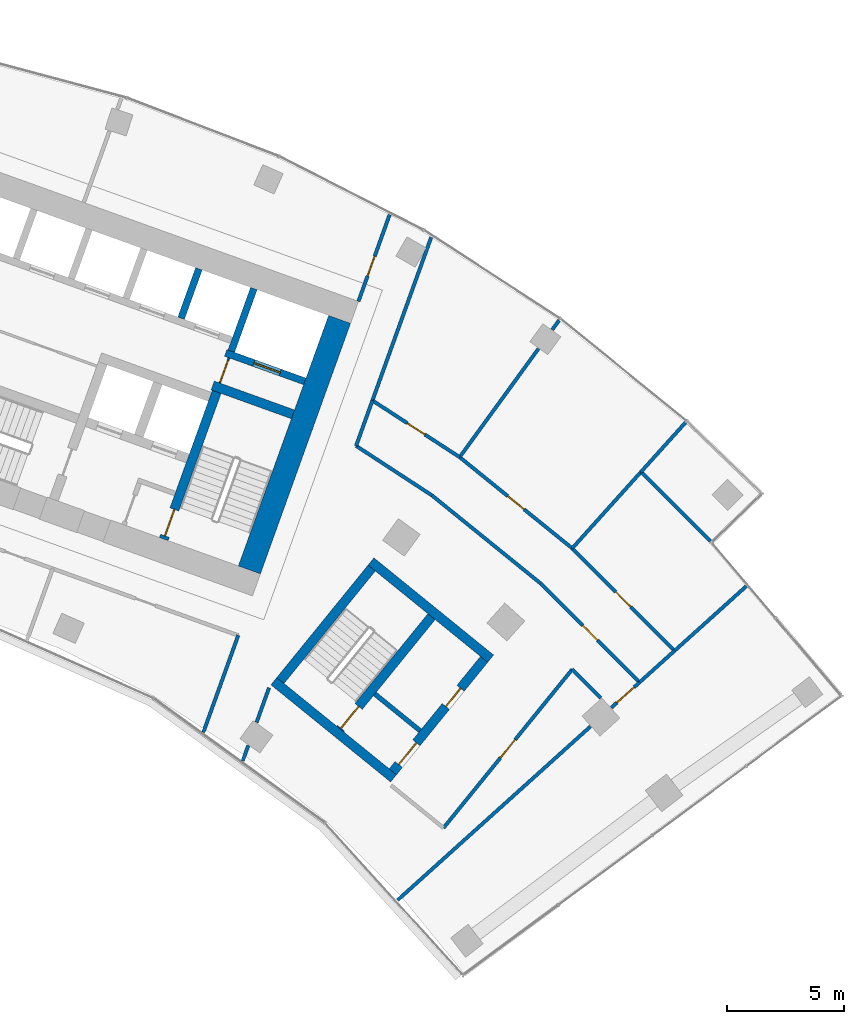
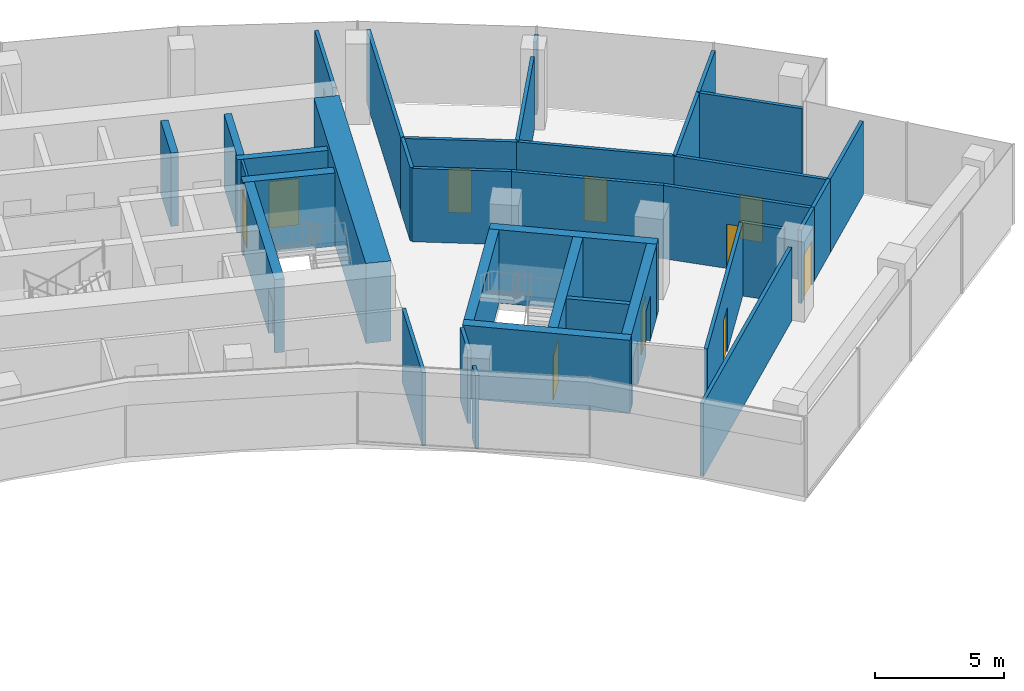
# One storey, part 15 of 18: 36 walls, 13 doors, 13 openings.
"""IFC4 building model written with IfcOpenShell, lengths in metres."""

from ifc_helpers import new_model, si_unit, direction, frame, frame_2d, origin, place, context, subcontext, project, spatial, rectangle, extrude, material, layer, layer_set, type_object, element, fill, save


model = new_model("IFC4")

# Units and contexts
model_context = context("Model", 3, precision=1e-05, world=origin(), true_north=direction((0.0, 1.0)))
body_context = subcontext(model_context, "Body", "Model", "MODEL_VIEW")
ifc_project = project(units=[si_unit("LENGTHUNIT", "METRE"), si_unit("AREAUNIT", "SQUARE_METRE"), si_unit("VOLUMEUNIT", "CUBIC_METRE"), si_unit("PLANEANGLEUNIT", "RADIAN"), si_unit("MASSUNIT", "GRAM", prefix="KILO")], contexts=[model_context])

# Site, building, storey
site_placement = place(None, origin())
site = spatial("IfcSite", under=ifc_project, at=site_placement, CompositionType="ELEMENT")
building_placement = place(site_placement, origin())
building = spatial("IfcBuilding", under=site, at=building_placement, Name="Stone Belt Terrace Tower", CompositionType="ELEMENT")
storey_placement = place(building_placement, frame((0.0, 0.0, 239.0)))
storey = spatial("IfcBuildingStorey", under=building, at=storey_placement, Name="L58", CompositionType="ELEMENT", Elevation=239.0)

# Wall, opening, door
ifc_material_1 = material(Name="Plasterboard partition")
ifc_layer_1 = layer(ifc_material_1, 0.10009765625)
ifc_layer_set_1 = layer_set([ifc_layer_1], Name="Core partition 100")
wall_type_1 = type_object("IfcWallType", Name="Core partition 100", PredefinedType="PARTITIONING", material=ifc_layer_set_1)
wall_1_placement = place(storey_placement, frame((24.555908203125, 51.10400390625, 0.0), z_axis=(0.0, 0.0, 1.0), x_axis=(0.338621735342, 0.94092258999, 0.0)))
wall_1 = element("IfcWall", 1, at=wall_1_placement, inside=storey, type_object=wall_type_1, Name="Core B wall", PredefinedType="PARTITIONING", context=body_context, shape_type="SweptSolid", body=[
    extrude(rectangle(XDim=1.14990234375, YDim=0.10009765625, at=frame_2d((0.574951171875, 0.0))), origin(), (0.0, 0.0, 1.0), 3.47998046875),
])
opening_1_placement = place(wall_1_placement, frame((0.050048828125, 0.0, 0.0)))
opening_1 = element("IfcOpeningElement", 2, at=opening_1_placement, cuts=wall_1, Name="Opening L58-C14", PredefinedType="OPENING", context=body_context, shape_type="SweptSolid", body=[
    extrude(rectangle(XDim=1.0, YDim=2.10009765625, at=frame_2d((0.5, 1.050048828125))), frame((0.0, 0.06005859375, 0.0), z_axis=(0.0, -1.0, 0.0), x_axis=(1.0, 0.0, 0.0)), (0.0, 0.0, 1.0), 0.1201171875),
])
ifc_material_2 = material(Name="Timber door leaf", Category="wood")
door_type_1 = type_object("IfcDoorType", Name="Core room door 1000", OperationType="SINGLE_SWING_LEFT", PredefinedType="DOOR", material=ifc_material_2)
door_1_placement = place(opening_1_placement, origin())
door_1 = element("IfcDoor", 3, at=door_1_placement, inside=storey, type_object=door_type_1, Name="Service lift lobby door core B", OperationType="SINGLE_SWING_LEFT", OverallHeight=2.10009765625, OverallWidth=1.0, PredefinedType="DOOR", context=body_context, shape_type="SweptSolid", body=[
    extrude(rectangle(XDim=1.0, YDim=2.10009765625, at=frame_2d((0.5, 1.050048828125))), frame((0.0, 0.02490234375, 0.0), z_axis=(0.0, -1.0, 0.0), x_axis=(1.0, 0.0, 0.0)), (0.0, 0.0, 1.0), 0.050048828125),
])
fill(opening_1, door_1)

# Wall
ifc_material_3 = material(Name="Concrete B60", Category="concrete")
ifc_layer_2 = layer(ifc_material_3, 1.0)
ifc_layer_set_2 = layer_set([ifc_layer_2], Name="Core wall 1000 B60")
wall_type_2 = type_object("IfcWallType", Name="Core wall 1000 B60", PredefinedType="SHEAR", material=ifc_layer_set_2)
wall_2_placement = place(storey_placement, frame((25.821044921875, 43.102783203125, 0.0), z_axis=(0.0, 0.0, 1.0), x_axis=(0.338625431531, 0.940921259788, 0.0)))
element("IfcWall", 4, at=wall_2_placement, inside=storey, type_object=wall_type_2, Name="Core B wall end_b L58", PredefinedType="SHEAR", context=body_context, shape_type="SweptSolid", body=[
    extrude(rectangle(XDim=11.400146484375, YDim=1.0, at=frame_2d((5.7001953125, 0.0))), origin(), (0.0, 0.0, 1.0), 3.800048828125),
])

# Wall, opening, door
ifc_material_4 = material(Name="Concrete B80", Category="concrete")
ifc_layer_3 = layer(ifc_material_4, 0.300048828125)
ifc_layer_set_3 = layer_set([ifc_layer_3], Name="Lift shaft wall 300")
wall_type_3 = type_object("IfcWallType", Name="Lift shaft wall 300", PredefinedType="SHEAR", material=ifc_layer_set_3)
wall_3_placement = place(storey_placement, frame((28.195068359375, 51.17578125, 0.0), z_axis=(0.0, 0.0, 1.0), x_axis=(-0.940901243567, 0.338681044427, 0.0)))
wall_3 = element("IfcWall", 5, at=wall_3_placement, inside=storey, type_object=wall_type_3, Name="Core B wall", PredefinedType="SHEAR", context=body_context, shape_type="SweptSolid", body=[
    extrude(rectangle(XDim=3.599853515625, YDim=0.300048828125, at=frame_2d((1.7998046875, 0.0))), origin(), (0.0, 0.0, 1.0), 3.47998046875),
])
opening_2_placement = place(wall_3_placement, frame((1.1201171875, 0.0, 0.0)))
opening_2 = element("IfcOpeningElement", 6, at=opening_2_placement, cuts=wall_3, Name="Opening L58-LD16", PredefinedType="OPENING", context=body_context, shape_type="SweptSolid", body=[
    extrude(rectangle(XDim=1.199951171875, YDim=2.199951171875, at=frame_2d((0.60009765625, 1.10009765625))), frame((0.0, 0.159912109375, 0.0), z_axis=(0.0, -1.0, 0.0), x_axis=(1.0, 0.0, 0.0)), (0.0, 0.0, 1.0), 0.320068359375),
])
ifc_material_5 = material(Name="Stainless steel door leaf", Category="steel")
door_type_2 = type_object("IfcDoorType", Name="Landing door 1200", OperationType="SLIDING_TO_LEFT", PredefinedType="DOOR", material=ifc_material_5)
door_2_placement = place(opening_2_placement, origin())
door_2 = element("IfcDoor", 7, at=door_2_placement, inside=storey, type_object=door_type_2, Name="Landing door SV1 core B", OperationType="SLIDING_TO_LEFT", OverallHeight=2.199951171875, OverallWidth=1.199951171875, PredefinedType="DOOR", context=body_context, shape_type="SweptSolid", body=[
    extrude(rectangle(XDim=1.199951171875, YDim=2.199951171875, at=frame_2d((0.60009765625, 1.10009765625))), frame((0.0, 0.02490234375, 0.0), z_axis=(0.0, -1.0, 0.0), x_axis=(1.0, 0.0, 0.0)), (0.0, 0.0, 1.0), 0.050048828125),
])
fill(opening_2, door_2)

# Walls
wall_4_placement = place(storey_placement, frame((25.046875, 52.46826171875, 0.0), z_axis=(0.0, 0.0, 1.0), x_axis=(0.338549588058, 0.940948551423, 0.0)))
element("IfcWall", 8, at=wall_4_placement, inside=storey, type_object=wall_type_3, Name="Core B wall", PredefinedType="SHEAR", context=body_context, shape_type="SweptSolid", body=[
    extrude(rectangle(XDim=2.849853515625, YDim=0.300048828125, at=frame_2d((1.4248046875, 0.0))), origin(), (0.0, 0.0, 1.0), 3.47998046875),
])
wall_5_placement = place(storey_placement, frame((22.897705078125, 53.87939453125, 0.0), z_axis=(0.0, 0.0, 1.0), x_axis=(0.338535034312, 0.940953787677, 0.0)))
element("IfcWall", 9, at=wall_5_placement, inside=storey, type_object=wall_type_3, Name="Core B wall", PredefinedType="SHEAR", context=body_context, shape_type="SweptSolid", body=[
    extrude(rectangle(XDim=2.25, YDim=0.300048828125, at=frame_2d((1.125, 0.0))), origin(), (0.0, 0.0, 1.0), 3.47998046875),
])
ifc_material_6 = material(Name="Gypsum board partition")
ifc_layer_4 = layer(ifc_material_6, 0.14990234375)
ifc_layer_set_4 = layer_set([ifc_layer_4], Name="PARTITION 150 EI 60")
wall_type_4 = type_object("IfcWallType", Name="PARTITION 150 EI 60", PredefinedType="PARTITIONING", material=ifc_layer_set_4)
wall_6_placement = place(storey_placement, frame((23.84912109375, 36.14697265625, 0.0), z_axis=(0.0, 0.0, 1.0), x_axis=(0.338515990554, 0.940960638996, 0.0)))
element("IfcWall", 10, at=wall_6_placement, inside=storey, type_object=wall_type_4, Name="L58/wall/i022", PredefinedType="PARTITIONING", context=body_context, shape_type="SweptSolid", body=[
    extrude(rectangle(XDim=4.4189453125, YDim=0.14990234375, at=frame_2d((2.20947265625, 0.0))), origin(), (0.0, 0.0, 1.0), 3.47998046875),
])

# Wall, opening, door
wall_7_placement = place(storey_placement, frame((30.490966796875, 54.60107421875, 0.0), z_axis=(0.0, 0.0, 1.0), x_axis=(0.338463192343, 0.940979631782, 0.0)))
wall_7 = element("IfcWall", 11, at=wall_7_placement, inside=storey, type_object=wall_type_4, Name="L58/wall/i023", PredefinedType="PARTITIONING", context=body_context, shape_type="SweptSolid", body=[
    extrude(rectangle(XDim=3.947021484375, YDim=0.14990234375, at=frame_2d((1.9736328125, 0.0))), origin(), (0.0, 0.0, 1.0), 3.47998046875),
])
opening_3_placement = place(wall_7_placement, frame((1.156494140625, 0.0, 0.0)))
opening_3 = element("IfcOpeningElement", 12, at=opening_3_placement, cuts=wall_7, Name="Opening D-D5-10", PredefinedType="OPENING", context=body_context, shape_type="SweptSolid", body=[
    extrude(rectangle(XDim=0.89990234375, YDim=2.10009765625, at=frame_2d((0.449951171875, 1.050048828125))), frame((0.0, 0.0849609375, 0.0), z_axis=(0.0, -1.0, 0.0), x_axis=(1.0, 0.0, 0.0)), (0.0, 0.0, 1.0), 0.169921875),
])
door_type_3 = type_object("IfcDoorType", Name="OFFICE DOOR 900 X 2100", OperationType="NOTDEFINED", PredefinedType="DOOR", material=ifc_material_2)
door_3_placement = place(opening_3_placement, origin())
door_3 = element("IfcDoor", 13, at=door_3_placement, inside=storey, type_object=door_type_3, Name="L58/door/i10", OperationType="SINGLE_SWING_LEFT", OverallHeight=2.10009765625, OverallWidth=0.89990234375, PredefinedType="DOOR", context=body_context, shape_type="SweptSolid", body=[
    extrude(rectangle(XDim=0.89990234375, YDim=2.10009765625, at=frame_2d((0.449951171875, 1.050048828125))), frame((0.0, 0.02490234375, 0.0), z_axis=(0.0, -1.0, 0.0), x_axis=(1.0, 0.0, 0.0)), (0.0, 0.0, 1.0), 0.050048828125),
])
fill(opening_3, door_3)

# Walls
wall_8_placement = place(storey_placement, frame((26.662109375, 38.055908203125, 0.0), z_axis=(0.0, 0.0, 1.0), x_axis=(-0.338735967395, -0.940881472021, 0.0)))
element("IfcWall", 14, at=wall_8_placement, inside=storey, type_object=wall_type_4, Name="L58/wall/i024", PredefinedType="PARTITIONING", context=body_context, shape_type="SweptSolid", body=[
    extrude(rectangle(XDim=1.572021484375, YDim=0.14990234375, at=frame_2d((0.7861328125, 0.0))), origin(), (0.0, 0.0, 1.0), 3.47998046875),
])
wall_9_placement = place(storey_placement, frame((25.7734375, 35.58740234375, 0.0), z_axis=(0.0, 0.0, 1.0), x_axis=(-0.338743948122, -0.940878598763, 0.0)))
element("IfcWall", 15, at=wall_9_placement, inside=storey, type_object=wall_type_4, Name="L58/wall/i025", PredefinedType="PARTITIONING", context=body_context, shape_type="SweptSolid", body=[
    extrude(rectangle(XDim=0.706298828125, YDim=0.14990234375, at=frame_2d((0.35302734375, 0.0))), origin(), (0.0, 0.0, 1.0), 3.47998046875),
])
wall_10_placement = place(storey_placement, frame((31.091064453125, 50.363037109375, 0.0), z_axis=(0.0, 0.0, 1.0), x_axis=(-0.33830289946, -0.941037272491, 0.0)))
element("IfcWall", 16, at=wall_10_placement, inside=storey, type_object=wall_type_4, Name="L58/wall/i026", PredefinedType="PARTITIONING", context=body_context, shape_type="SweptSolid", body=[
    extrude(rectangle(XDim=2.075439453125, YDim=0.14990234375, at=frame_2d((1.03759765625, 0.0))), origin(), (0.0, 0.0, 1.0), 3.47998046875),
])
wall_11_placement = place(storey_placement, frame((33.60791015625, 57.35498046875, 0.0), z_axis=(0.0, 0.0, 1.0), x_axis=(-0.338596336593, -0.940931730173, 0.0)))
element("IfcWall", 17, at=wall_11_placement, inside=storey, type_object=wall_type_4, Name="L58/wall/i027", PredefinedType="PARTITIONING", context=body_context, shape_type="SweptSolid", body=[
    extrude(rectangle(XDim=7.442626953125, YDim=0.14990234375, at=frame_2d((3.72119140625, 0.0))), origin(), (0.0, 0.0, 1.0), 3.47998046875),
])

# Wall, opening, door
wall_12_placement = place(storey_placement, frame((42.531005859375, 38.2939453125, 0.0), z_axis=(0.0, 0.0, 1.0), x_axis=(-0.743450987947, -0.668790421972, 0.0)))
wall_12 = element("IfcWall", 18, at=wall_12_placement, inside=storey, type_object=wall_type_4, Name="L58/wall/i044", PredefinedType="PARTITIONING", context=body_context, shape_type="SweptSolid", body=[
    extrude(rectangle(XDim=1.625244140625, YDim=0.14990234375, at=frame_2d((0.8125, 0.0))), origin(), (0.0, 0.0, 1.0), 3.47998046875),
])
opening_4_placement = place(wall_12_placement, frame((0.312744140625, 0.0, 0.0)))
opening_4 = element("IfcOpeningElement", 19, at=opening_4_placement, cuts=wall_12, Name="Opening D-D5-15", PredefinedType="OPENING", context=body_context, shape_type="SweptSolid", body=[
    extrude(rectangle(XDim=1.0, YDim=2.10009765625, at=frame_2d((0.5, 1.050048828125))), frame((0.0, 0.0849609375, 0.0), z_axis=(0.0, -1.0, 0.0), x_axis=(1.0, 0.0, 0.0)), (0.0, 0.0, 1.0), 0.169921875),
])
ifc_material_7 = material(Name="Timber fire door leaf", Category="wood")
door_type_4 = type_object("IfcDoorType", Name="TENANCY ENTRANCE DOOR 1000 X 2100", OperationType="NOTDEFINED", PredefinedType="DOOR", material=ifc_material_7)
door_4_placement = place(opening_4_placement, origin())
door_4 = element("IfcDoor", 20, at=door_4_placement, inside=storey, type_object=door_type_4, Name="L58/door/i15", OperationType="SINGLE_SWING_RIGHT", OverallHeight=2.10009765625, OverallWidth=1.0, PredefinedType="DOOR", context=body_context, shape_type="SweptSolid", body=[
    extrude(rectangle(XDim=1.0, YDim=2.10009765625, at=frame_2d((0.5, 1.050048828125))), frame((0.0, 0.02490234375, 0.0), z_axis=(0.0, -1.0, 0.0), x_axis=(1.0, 0.0, 0.0)), (0.0, 0.0, 1.0), 0.050048828125),
])
fill(opening_4, door_4)

# Walls
wall_13_placement = place(storey_placement, frame((32.1630859375, 28.959716796875, 0.0), z_axis=(0.0, 0.0, 1.0), x_axis=(0.743116100378, 0.669162507437, 0.0)))
element("IfcWall", 21, at=wall_13_placement, inside=storey, type_object=wall_type_4, Name="L58/wall/i045", PredefinedType="PARTITIONING", context=body_context, shape_type="SweptSolid", body=[
    extrude(rectangle(XDim=11.115478515625, YDim=0.14990234375, at=frame_2d((5.5576171875, 0.0))), origin(), (0.0, 0.0, 1.0), 3.47998046875),
])
wall_14_placement = place(storey_placement, frame((42.52197265625, 38.287109375, 0.0), z_axis=(0.0, 0.0, 1.0), x_axis=(0.74306127458, 0.669223387382, 0.0)))
element("IfcWall", 22, at=wall_14_placement, inside=storey, type_object=wall_type_4, Name="L58/wall/i046", PredefinedType="PARTITIONING", context=body_context, shape_type="SweptSolid", body=[
    extrude(rectangle(XDim=2.033447265625, YDim=0.14990234375, at=frame_2d((1.0166015625, 0.0))), origin(), (0.0, 0.0, 1.0), 3.47998046875),
])
wall_15_placement = place(storey_placement, frame((44.02490234375, 39.639892578125, 0.0), z_axis=(0.0, 0.0, 1.0), x_axis=(0.743144572165, 0.66913088769, 0.0)))
element("IfcWall", 23, at=wall_15_placement, inside=storey, type_object=wall_type_4, Name="L58/wall/i047", PredefinedType="PARTITIONING", context=body_context, shape_type="SweptSolid", body=[
    extrude(rectangle(XDim=4.1396484375, YDim=0.14990234375, at=frame_2d((2.06982421875, 0.0))), origin(), (0.0, 0.0, 1.0), 3.47998046875),
])
wall_16_placement = place(storey_placement, frame((40.871826171875, 37.615234375, 0.0), z_axis=(0.0, 0.0, 1.0), x_axis=(-0.707176795224, 0.707036760216, 0.0)))
element("IfcWall", 24, at=wall_16_placement, inside=storey, type_object=wall_type_4, Name="L58/wall/i048", PredefinedType="PARTITIONING", context=body_context, shape_type="SweptSolid", body=[
    extrude(rectangle(XDim=1.743408203125, YDim=0.14990234375, at=frame_2d((0.87158203125, 0.0))), origin(), (0.0, 0.0, 1.0), 3.47998046875),
])
wall_17_placement = place(storey_placement, frame((30.39111328125, 48.4150390625, 0.0), z_axis=(0.0, 0.0, 1.0), x_axis=(0.837265796004, -0.546796110851, 0.0)))
element("IfcWall", 25, at=wall_17_placement, inside=storey, type_object=wall_type_4, Name="L58/wall/i049", PredefinedType="PARTITIONING", context=body_context, shape_type="SweptSolid", body=[
    extrude(rectangle(XDim=3.87548828125, YDim=0.14990234375, at=frame_2d((1.937744140625, 0.0))), origin(), (0.0, 0.0, 1.0), 3.47998046875),
])
wall_18_placement = place(storey_placement, frame((33.635986328125, 46.2958984375, 0.0), z_axis=(0.0, 0.0, 1.0), x_axis=(0.77714422733, -0.629322532513, 0.0)))
element("IfcWall", 26, at=wall_18_placement, inside=storey, type_object=wall_type_4, Name="L58/wall/i050", PredefinedType="PARTITIONING", context=body_context, shape_type="SweptSolid", body=[
    extrude(rectangle(XDim=5.98876953125, YDim=0.14990234375, at=frame_2d((2.994384765625, 0.0))), origin(), (0.0, 0.0, 1.0), 3.47998046875),
])

# Wall, opening, door
wall_19_placement = place(storey_placement, frame((38.291015625, 42.52587890625, 0.0), z_axis=(0.0, 0.0, 1.0), x_axis=(0.707106781187, -0.707106781187, 0.0)))
wall_19 = element("IfcWall", 27, at=wall_19_placement, inside=storey, type_object=wall_type_4, Name="L58/wall/i051", PredefinedType="PARTITIONING", context=body_context, shape_type="SweptSolid", body=[
    extrude(rectangle(XDim=5.989013671875, YDim=0.14990234375, at=frame_2d((2.99462890625, 0.0))), origin(), (0.0, 0.0, 1.0), 3.47998046875),
])
opening_5_placement = place(wall_19_placement, frame((2.544677734375, 0.0, 0.0)))
opening_5 = element("IfcOpeningElement", 28, at=opening_5_placement, cuts=wall_19, Name="Opening D-D5-17", PredefinedType="OPENING", context=body_context, shape_type="SweptSolid", body=[
    extrude(rectangle(XDim=0.89990234375, YDim=2.10009765625, at=frame_2d((0.449951171875, 1.050048828125))), frame((0.0, 0.0849609375, 0.0), z_axis=(0.0, -1.0, 0.0), x_axis=(1.0, 0.0, 0.0)), (0.0, 0.0, 1.0), 0.169921875),
])
door_5_placement = place(opening_5_placement, origin())
door_5 = element("IfcDoor", 29, at=door_5_placement, inside=storey, type_object=door_type_3, Name="L58/door/i17", OperationType="SINGLE_SWING_RIGHT", OverallHeight=2.10009765625, OverallWidth=0.89990234375, PredefinedType="DOOR", context=body_context, shape_type="SweptSolid", body=[
    extrude(rectangle(XDim=0.89990234375, YDim=2.10009765625, at=frame_2d((0.449951171875, 1.050048828125))), frame((0.0, 0.02490234375, 0.0), z_axis=(0.0, -1.0, 0.0), x_axis=(1.0, 0.0, 0.0)), (0.0, 0.0, 1.0), 0.050048828125),
])
fill(opening_5, door_5)

wall_20_placement = place(storey_placement, frame((34.133056640625, 32.055908203125, 0.0), z_axis=(0.0, 0.0, 1.0), x_axis=(0.630226712005, 0.776411161354, 0.0)))
wall_20 = element("IfcWall", 30, at=wall_20_placement, inside=storey, type_object=wall_type_4, Name="L58/wall/i052", PredefinedType="PARTITIONING", context=body_context, shape_type="SweptSolid", body=[
    extrude(rectangle(XDim=8.742919921875, YDim=0.14990234375, at=frame_2d((4.37158203125, 0.0))), origin(), (0.0, 0.0, 1.0), 3.47998046875),
])
opening_6_placement = place(wall_20_placement, frame((3.871337890625, 0.0, 0.0)))
opening_6 = element("IfcOpeningElement", 31, at=opening_6_placement, cuts=wall_20, Name="Opening D-D5-16", PredefinedType="OPENING", context=body_context, shape_type="SweptSolid", body=[
    extrude(rectangle(XDim=1.0, YDim=2.10009765625, at=frame_2d((0.5, 1.050048828125))), frame((0.0, 0.0849609375, 0.0), z_axis=(0.0, -1.0, 0.0), x_axis=(1.0, 0.0, 0.0)), (0.0, 0.0, 1.0), 0.169921875),
])
door_6_placement = place(opening_6_placement, origin())
door_6 = element("IfcDoor", 32, at=door_6_placement, inside=storey, type_object=door_type_4, Name="L58/door/i16", OperationType="SINGLE_SWING_RIGHT", OverallHeight=2.10009765625, OverallWidth=1.0, PredefinedType="DOOR", context=body_context, shape_type="SweptSolid", body=[
    extrude(rectangle(XDim=1.0, YDim=2.10009765625, at=frame_2d((0.5, 1.050048828125))), frame((0.0, 0.02490234375, 0.0), z_axis=(0.0, -1.0, 0.0), x_axis=(1.0, 0.0, 0.0)), (0.0, 0.0, 1.0), 0.050048828125),
])
fill(opening_6, door_6)

wall_21_placement = place(storey_placement, frame((31.090087890625, 50.35693359375, 0.0), z_axis=(0.0, 0.0, 1.0), x_axis=(0.838646515126, -0.544676071319, 0.0)))
wall_21 = element("IfcWall", 33, at=wall_21_placement, inside=storey, type_object=wall_type_4, Name="L58/wall/i054", PredefinedType="PARTITIONING", context=body_context, shape_type="SweptSolid", body=[
    extrude(rectangle(XDim=4.452392578125, YDim=0.14990234375, at=frame_2d((2.22607421875, 0.0))), origin(), (0.0, 0.0, 1.0), 3.47998046875),
])
opening_7_placement = place(wall_21_placement, frame((1.776123046875, 0.0, 0.0)))
opening_7 = element("IfcOpeningElement", 34, at=opening_7_placement, cuts=wall_21, Name="Opening D-D5-18", PredefinedType="OPENING", context=body_context, shape_type="SweptSolid", body=[
    extrude(rectangle(XDim=0.89990234375, YDim=2.10009765625, at=frame_2d((0.449951171875, 1.050048828125))), frame((0.0, 0.0849609375, 0.0), z_axis=(0.0, -1.0, 0.0), x_axis=(1.0, 0.0, 0.0)), (0.0, 0.0, 1.0), 0.169921875),
])
door_7_placement = place(opening_7_placement, origin())
door_7 = element("IfcDoor", 35, at=door_7_placement, inside=storey, type_object=door_type_3, Name="L58/door/i18", OperationType="SINGLE_SWING_RIGHT", OverallHeight=2.10009765625, OverallWidth=0.89990234375, PredefinedType="DOOR", context=body_context, shape_type="SweptSolid", body=[
    extrude(rectangle(XDim=0.89990234375, YDim=2.10009765625, at=frame_2d((0.449951171875, 1.050048828125))), frame((0.0, 0.02490234375, 0.0), z_axis=(0.0, -1.0, 0.0), x_axis=(1.0, 0.0, 0.0)), (0.0, 0.0, 1.0), 0.050048828125),
])
fill(opening_7, door_7)

wall_22_placement = place(storey_placement, frame((34.823974609375, 47.931884765625, 0.0), z_axis=(0.0, 0.0, 1.0), x_axis=(0.777176112755, -0.629283155473, 0.0)))
wall_22 = element("IfcWall", 36, at=wall_22_placement, inside=storey, type_object=wall_type_4, Name="L58/wall/i055", PredefinedType="PARTITIONING", context=body_context, shape_type="SweptSolid", body=[
    extrude(rectangle(XDim=6.2021484375, YDim=0.14990234375, at=frame_2d((3.10107421875, 0.0))), origin(), (0.0, 0.0, 1.0), 3.47998046875),
])
opening_8_placement = place(wall_22_placement, frame((2.651123046875, 0.0, 0.0)))
opening_8 = element("IfcOpeningElement", 37, at=opening_8_placement, cuts=wall_22, Name="Opening D-D5-19", PredefinedType="OPENING", context=body_context, shape_type="SweptSolid", body=[
    extrude(rectangle(XDim=0.89990234375, YDim=2.10009765625, at=frame_2d((0.449951171875, 1.050048828125))), frame((0.0, 0.0849609375, 0.0), z_axis=(0.0, -1.0, 0.0), x_axis=(1.0, 0.0, 0.0)), (0.0, 0.0, 1.0), 0.169921875),
])
door_8_placement = place(opening_8_placement, origin())
door_8 = element("IfcDoor", 38, at=door_8_placement, inside=storey, type_object=door_type_3, Name="L58/door/i19", OperationType="SINGLE_SWING_RIGHT", OverallHeight=2.10009765625, OverallWidth=0.89990234375, PredefinedType="DOOR", context=body_context, shape_type="SweptSolid", body=[
    extrude(rectangle(XDim=0.89990234375, YDim=2.10009765625, at=frame_2d((0.449951171875, 1.050048828125))), frame((0.0, 0.02490234375, 0.0), z_axis=(0.0, -1.0, 0.0), x_axis=(1.0, 0.0, 0.0)), (0.0, 0.0, 1.0), 0.050048828125),
])
fill(opening_8, door_8)

wall_23_placement = place(storey_placement, frame((39.639892578125, 44.032958984375, 0.0), z_axis=(0.0, 0.0, 1.0), x_axis=(0.707126447351, -0.707087114475, 0.0)))
wall_23 = element("IfcWall", 39, at=wall_23_placement, inside=storey, type_object=wall_type_4, Name="L58/wall/i056", PredefinedType="PARTITIONING", context=body_context, shape_type="SweptSolid", body=[
    extrude(rectangle(XDim=6.20703125, YDim=0.14990234375, at=frame_2d((3.103515625, 0.0))), origin(), (0.0, 0.0, 1.0), 3.47998046875),
])
opening_9_placement = place(wall_23_placement, frame((2.653564453125, 0.0, 0.0)))
opening_9 = element("IfcOpeningElement", 40, at=opening_9_placement, cuts=wall_23, Name="Opening D-D5-20", PredefinedType="OPENING", context=body_context, shape_type="SweptSolid", body=[
    extrude(rectangle(XDim=0.89990234375, YDim=2.10009765625, at=frame_2d((0.449951171875, 1.050048828125))), frame((0.0, 0.0849609375, 0.0), z_axis=(0.0, -1.0, 0.0), x_axis=(1.0, 0.0, 0.0)), (0.0, 0.0, 1.0), 0.169921875),
])
door_9_placement = place(opening_9_placement, origin())
door_9 = element("IfcDoor", 41, at=door_9_placement, inside=storey, type_object=door_type_3, Name="L58/door/i20", OperationType="SINGLE_SWING_RIGHT", OverallHeight=2.10009765625, OverallWidth=0.89990234375, PredefinedType="DOOR", context=body_context, shape_type="SweptSolid", body=[
    extrude(rectangle(XDim=0.89990234375, YDim=2.10009765625, at=frame_2d((0.449951171875, 1.050048828125))), frame((0.0, 0.02490234375, 0.0), z_axis=(0.0, -1.0, 0.0), x_axis=(1.0, 0.0, 0.0)), (0.0, 0.0, 1.0), 0.050048828125),
])
fill(opening_9, door_9)

# Walls
wall_24_placement = place(storey_placement, frame((39.087890625, 53.7998046875, 0.0), z_axis=(0.0, 0.0, 1.0), x_axis=(-0.588057050604, -0.808819451568, 0.0)))
element("IfcWall", 42, at=wall_24_placement, inside=storey, type_object=wall_type_4, Name="L58/wall/i057", PredefinedType="PARTITIONING", context=body_context, shape_type="SweptSolid", body=[
    extrude(rectangle(XDim=0.506591796875, YDim=0.14990234375, at=frame_2d((0.25341796875, 0.0))), origin(), (0.0, 0.0, 1.0), 3.47998046875),
])
wall_25_placement = place(storey_placement, frame((38.196533203125, 52.572998046875, 0.0), z_axis=(0.0, 0.0, 1.0), x_axis=(-0.587741422295, -0.809048836918, 0.0)))
element("IfcWall", 43, at=wall_25_placement, inside=storey, type_object=wall_type_4, Name="L58/wall/i058", PredefinedType="PARTITIONING", context=body_context, shape_type="SweptSolid", body=[
    extrude(rectangle(XDim=5.736572265625, YDim=0.14990234375, at=frame_2d((2.8681640625, 0.0))), origin(), (0.0, 0.0, 1.0), 3.47998046875),
])
wall_26_placement = place(storey_placement, frame((42.592041015625, 47.302978515625, 0.0), z_axis=(0.0, 0.0, 1.0), x_axis=(-0.669148410698, -0.743128793992, 0.0)))
element("IfcWall", 44, at=wall_26_placement, inside=storey, type_object=wall_type_4, Name="L58/wall/i059", PredefinedType="PARTITIONING", context=body_context, shape_type="SweptSolid", body=[
    extrude(rectangle(XDim=4.405517578125, YDim=0.14990234375, at=frame_2d((2.20263671875, 0.0))), origin(), (0.0, 0.0, 1.0), 3.47998046875),
])
wall_27_placement = place(storey_placement, frame((44.496826171875, 49.419189453125, 0.0), z_axis=(0.0, 0.0, 1.0), x_axis=(-0.669158170693, -0.743120005514, 0.0)))
element("IfcWall", 45, at=wall_27_placement, inside=storey, type_object=wall_type_4, Name="L58/wall/i060", PredefinedType="PARTITIONING", context=body_context, shape_type="SweptSolid", body=[
    extrude(rectangle(XDim=2.858642578125, YDim=0.14990234375, at=frame_2d((1.42919921875, 0.0))), origin(), (0.0, 0.0, 1.0), 3.47998046875),
])
wall_28_placement = place(storey_placement, frame((42.587890625, 47.299072265625, 0.0), z_axis=(0.0, 0.0, 1.0), x_axis=(0.707106781187, -0.707106781187, 0.0)))
element("IfcWall", 46, at=wall_28_placement, inside=storey, type_object=wall_type_4, Name="L58/wall/i061", PredefinedType="PARTITIONING", context=body_context, shape_type="SweptSolid", body=[
    extrude(rectangle(XDim=4.2099609375, YDim=0.14990234375, at=frame_2d((2.10498046875, 0.0))), origin(), (0.0, 0.0, 1.0), 3.47998046875),
])
ifc_material_8 = material(Name="Concrete masonry block", Category="masonry")
ifc_layer_5 = layer(ifc_material_8, 0.199951171875)
ifc_layer_set_5 = layer_set([ifc_layer_5], Name="Rated lobby wall 200")
wall_type_5 = type_object("IfcWallType", Name="Rated lobby wall 200", PredefinedType="PARTITIONING", material=ifc_layer_set_5)
wall_29_placement = place(storey_placement, frame((31.190673828125, 37.79296875, 0.0), z_axis=(0.0, 0.0, 1.0), x_axis=(0.776370830301, -0.630276394813, 0.0)))
element("IfcWall", 47, at=wall_29_placement, inside=storey, type_object=wall_type_5, Name="Exit stair ST3B wall", PredefinedType="PARTITIONING", context=body_context, shape_type="SweptSolid", body=[
    extrude(rectangle(XDim=2.5, YDim=0.199951171875, at=frame_2d((1.25, 0.0))), origin(), (0.0, 0.0, 1.0), 3.47998046875),
])
ifc_layer_6 = layer(ifc_material_4, 0.39990234375)
ifc_layer_set_6 = layer_set([ifc_layer_6], Name="Stair enclosure wall 400")
wall_type_6 = type_object("IfcWallType", Name="Stair enclosure wall 400", PredefinedType="SHEAR", material=ifc_layer_set_6)
wall_30_placement = place(storey_placement, frame((27.687255859375, 49.764404296875, 0.0), z_axis=(0.0, 0.0, 1.0), x_axis=(-0.940918954884, 0.338631835981, 0.0)))
element("IfcWall", 48, at=wall_30_placement, inside=storey, type_object=wall_type_6, Name="Core B wall", PredefinedType="SHEAR", context=body_context, shape_type="SweptSolid", body=[
    extrude(rectangle(XDim=3.650146484375, YDim=0.39990234375, at=frame_2d((1.8251953125, 0.0))), origin(), (0.0, 0.0, 1.0), 3.47998046875),
])

# Wall, opening, door
wall_31_placement = place(storey_placement, frame((22.151611328125, 44.42333984375, 0.0), z_axis=(0.0, 0.0, 1.0), x_axis=(0.338625272931, 0.940921316866, 0.0)))
wall_31 = element("IfcWall", 49, at=wall_31_placement, inside=storey, type_object=wall_type_6, Name="Core B wall", PredefinedType="SHEAR", context=body_context, shape_type="SweptSolid", body=[
    extrude(rectangle(XDim=6.699951171875, YDim=0.39990234375, at=frame_2d((3.35009765625, 0.0))), origin(), (0.0, 0.0, 1.0), 3.47998046875),
])
opening_10_placement = place(wall_31_placement, frame((0.14990234375, 0.0, 0.0)))
opening_10 = element("IfcOpeningElement", 50, at=opening_10_placement, cuts=wall_31, Name="Opening L58-C16", PredefinedType="OPENING", context=body_context, shape_type="SweptSolid", body=[
    extrude(rectangle(XDim=1.199951171875, YDim=2.10009765625, at=frame_2d((0.60009765625, 1.050048828125))), frame((0.0, 0.2099609375, 0.0), z_axis=(0.0, -1.0, 0.0), x_axis=(1.0, 0.0, 0.0)), (0.0, 0.0, 1.0), 0.419921875),
])
ifc_material_9 = material(Name="Steel door leaf", Category="steel")
door_type_5 = type_object("IfcDoorType", Name="Stair door 1200", OperationType="SINGLE_SWING_LEFT", PredefinedType="DOOR", material=ifc_material_9)
door_10_placement = place(opening_10_placement, origin())
door_10 = element("IfcDoor", 51, at=door_10_placement, inside=storey, type_object=door_type_5, Name="Stair 1 door core B", OperationType="SINGLE_SWING_LEFT", OverallHeight=2.10009765625, OverallWidth=1.199951171875, PredefinedType="DOOR", context=body_context, shape_type="SweptSolid", body=[
    extrude(rectangle(XDim=1.199951171875, YDim=2.10009765625, at=frame_2d((0.60009765625, 1.050048828125))), frame((0.0, 0.02490234375, 0.0), z_axis=(0.0, -1.0, 0.0), x_axis=(1.0, 0.0, 0.0)), (0.0, 0.0, 1.0), 0.050048828125),
])
fill(opening_10, door_10)

# Walls
wall_32_placement = place(storey_placement, frame((26.868408203125, 38.3388671875, 0.0), z_axis=(0.0, 0.0, 1.0), x_axis=(0.776428452498, -0.630205409491, 0.0)))
element("IfcWall", 52, at=wall_32_placement, inside=storey, type_object=wall_type_6, Name="Exit stair ST3B wall", PredefinedType="SHEAR", context=body_context, shape_type="SweptSolid", body=[
    extrude(rectangle(XDim=6.60009765625, YDim=0.39990234375, at=frame_2d((3.300048828125, 0.0))), origin(), (0.0, 0.0, 1.0), 3.47998046875),
])
wall_33_placement = place(storey_placement, frame((31.02783203125, 43.46337890625, 0.0), z_axis=(0.0, 0.0, 1.0), x_axis=(0.776413760801, -0.630223509589, 0.0)))
element("IfcWall", 53, at=wall_33_placement, inside=storey, type_object=wall_type_6, Name="Exit stair ST3B wall", PredefinedType="SHEAR", context=body_context, shape_type="SweptSolid", body=[
    extrude(rectangle(XDim=6.599853515625, YDim=0.39990234375, at=frame_2d((3.2998046875, 0.0))), origin(), (0.0, 0.0, 1.0), 3.47998046875),
])
wall_34_placement = place(storey_placement, frame((27.149658203125, 38.3681640625, 0.0), z_axis=(0.0, 0.0, 1.0), x_axis=(0.630211551729, 0.776423466973, 0.0)))
element("IfcWall", 54, at=wall_34_placement, inside=storey, type_object=wall_type_6, Name="Exit stair ST3B wall", PredefinedType="SHEAR", context=body_context, shape_type="SweptSolid", body=[
    extrude(rectangle(XDim=6.199951171875, YDim=0.39990234375, at=frame_2d((3.10009765625, 0.0))), origin(), (0.0, 0.0, 1.0), 3.47998046875),
])

# Wall, openings, doors
wall_35_placement = place(storey_placement, frame((31.963623046875, 34.460693359375, 0.0), z_axis=(0.0, 0.0, 1.0), x_axis=(0.630192283849, 0.776439106033, 0.0)))
wall_35 = element("IfcWall", 55, at=wall_35_placement, inside=storey, type_object=wall_type_6, Name="Exit stair ST3B wall", PredefinedType="SHEAR", context=body_context, shape_type="SweptSolid", body=[
    extrude(rectangle(XDim=6.199951171875, YDim=0.39990234375, at=frame_2d((3.10009765625, 0.0))), origin(), (0.0, 0.0, 1.0), 3.47998046875),
])
opening_11_placement = place(wall_35_placement, frame((0.39990234375, 0.0, 0.0)))
opening_11 = element("IfcOpeningElement", 56, at=opening_11_placement, cuts=wall_35, Name="Opening L58-C24", PredefinedType="OPENING", context=body_context, shape_type="SweptSolid", body=[
    extrude(rectangle(XDim=1.199951171875, YDim=2.10009765625, at=frame_2d((0.60009765625, 1.050048828125))), frame((0.0, 0.2099609375, 0.0), z_axis=(0.0, -1.0, 0.0), x_axis=(1.0, 0.0, 0.0)), (0.0, 0.0, 1.0), 0.419921875),
])
opening_12_placement = place(wall_35_placement, frame((3.60009765625, 0.0, 0.0)))
opening_12 = element("IfcOpeningElement", 57, at=opening_12_placement, cuts=wall_35, Name="Opening L58-C25", PredefinedType="OPENING", context=body_context, shape_type="SweptSolid", body=[
    extrude(rectangle(XDim=1.0, YDim=2.10009765625, at=frame_2d((0.5, 1.050048828125))), frame((0.0, 0.2099609375, 0.0), z_axis=(0.0, -1.0, 0.0), x_axis=(1.0, 0.0, 0.0)), (0.0, 0.0, 1.0), 0.419921875),
])
door_11_placement = place(opening_12_placement, origin())
door_11 = element("IfcDoor", 58, at=door_11_placement, inside=storey, type_object=door_type_1, Name="Door to stair pressurisation plant room ST3B", OperationType="SINGLE_SWING_RIGHT", OverallHeight=2.10009765625, OverallWidth=1.0, PredefinedType="DOOR", context=body_context, shape_type="SweptSolid", body=[
    extrude(rectangle(XDim=1.0, YDim=2.10009765625, at=frame_2d((0.5, 1.050048828125))), frame((0.0, 0.02490234375, 0.0), z_axis=(0.0, -1.0, 0.0), x_axis=(1.0, 0.0, 0.0)), (0.0, 0.0, 1.0), 0.050048828125),
])
fill(opening_12, door_11)
door_type_6 = type_object("IfcDoorType", Name="Stair airlock door 1200", OperationType="SINGLE_SWING_LEFT", PredefinedType="DOOR", material=ifc_material_9)
door_12_placement = place(opening_11_placement, origin())
door_12 = element("IfcDoor", 59, at=door_12_placement, inside=storey, type_object=door_type_6, Name="Stair airlock door ST3B", OperationType="SINGLE_SWING_RIGHT", OverallHeight=2.10009765625, OverallWidth=1.199951171875, PredefinedType="DOOR", context=body_context, shape_type="SweptSolid", body=[
    extrude(rectangle(XDim=1.199951171875, YDim=2.10009765625, at=frame_2d((0.60009765625, 1.050048828125))), frame((0.0, 0.02490234375, 0.0), z_axis=(0.0, -1.0, 0.0), x_axis=(1.0, 0.0, 0.0)), (0.0, 0.0, 1.0), 0.050048828125),
])
fill(opening_11, door_12)

# Wall, opening, door
wall_36_placement = place(storey_placement, frame((29.7119140625, 36.288330078125, 0.0), z_axis=(0.0, 0.0, 1.0), x_axis=(0.630192283849, 0.776439106033, 0.0)))
wall_36 = element("IfcWall", 60, at=wall_36_placement, inside=storey, type_object=wall_type_6, Name="Exit stair ST3B wall", PredefinedType="SHEAR", context=body_context, shape_type="SweptSolid", body=[
    extrude(rectangle(XDim=6.199951171875, YDim=0.39990234375, at=frame_2d((3.10009765625, 0.0))), origin(), (0.0, 0.0, 1.0), 3.47998046875),
])
opening_13_placement = place(wall_36_placement, frame((0.050048828125, 0.0, 0.0)))
opening_13 = element("IfcOpeningElement", 61, at=opening_13_placement, cuts=wall_36, Name="Opening L58-C23", PredefinedType="OPENING", context=body_context, shape_type="SweptSolid", body=[
    extrude(rectangle(XDim=1.199951171875, YDim=2.10009765625, at=frame_2d((0.60009765625, 1.050048828125))), frame((0.0, 0.2099609375, 0.0), z_axis=(0.0, -1.0, 0.0), x_axis=(1.0, 0.0, 0.0)), (0.0, 0.0, 1.0), 0.419921875),
])
door_13_placement = place(opening_13_placement, origin())
door_13 = element("IfcDoor", 62, at=door_13_placement, inside=storey, type_object=door_type_5, Name="Stair door ST3B", OperationType="SINGLE_SWING_LEFT", OverallHeight=2.10009765625, OverallWidth=1.199951171875, PredefinedType="DOOR", context=body_context, shape_type="SweptSolid", body=[
    extrude(rectangle(XDim=1.199951171875, YDim=2.10009765625, at=frame_2d((0.60009765625, 1.050048828125))), frame((0.0, 0.02490234375, 0.0), z_axis=(0.0, -1.0, 0.0), x_axis=(1.0, 0.0, 0.0)), (0.0, 0.0, 1.0), 0.050048828125),
])
fill(opening_13, door_13)

save(model, "model.ifc")
